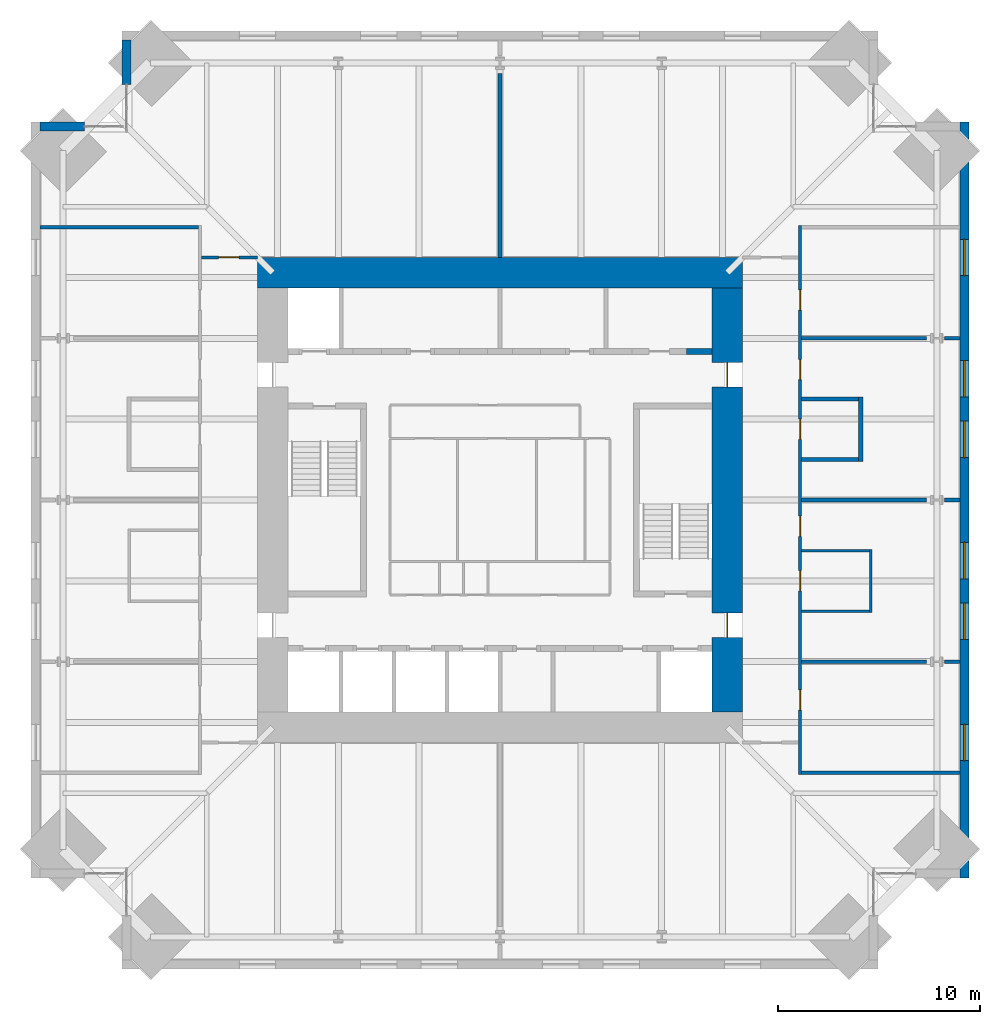
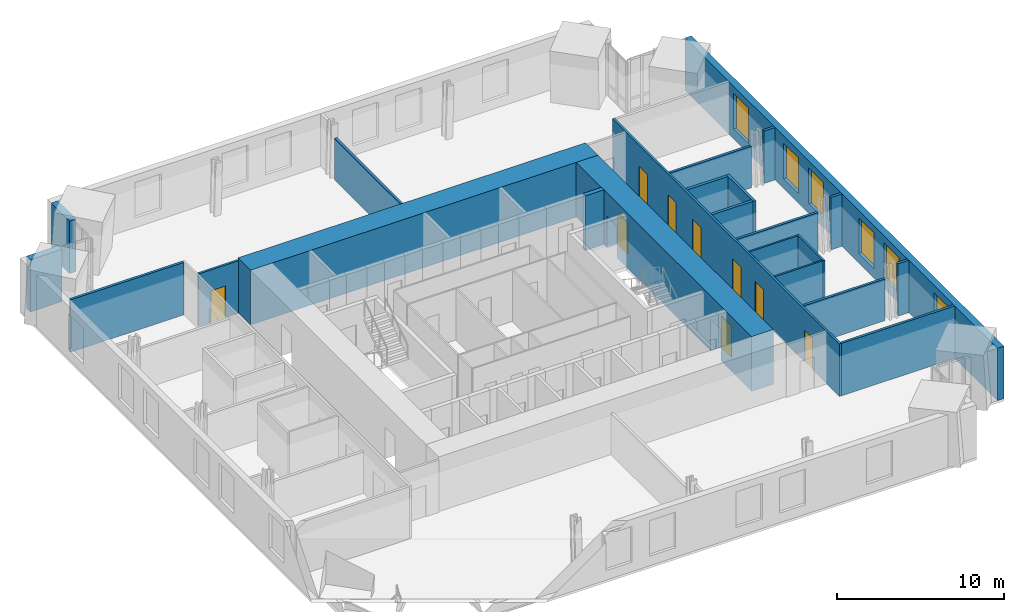
# One storey, part 13 of 15: 23 walls, 9 doors, 6 windows, 15 openings.
"""IFC4 building model written with IfcOpenShell, lengths in metres."""

from ifc_helpers import new_model, si_unit, direction, frame, frame_2d, origin, place, context, subcontext, project, spatial, rectangle, extrude, material, layer, layer_set, type_object, element, fill, save


model = new_model("IFC4")

# Units and contexts
model_context = context("Model", 3, precision=1e-05, world=origin(), true_north=direction((0.0, 1.0)))
body_context = subcontext(model_context, "Body", "Model", "MODEL_VIEW")
ifc_project = project(units=[si_unit("LENGTHUNIT", "METRE"), si_unit("AREAUNIT", "SQUARE_METRE"), si_unit("VOLUMEUNIT", "CUBIC_METRE"), si_unit("PLANEANGLEUNIT", "RADIAN"), si_unit("MASSUNIT", "GRAM", prefix="KILO")], contexts=[model_context])

# Site, building, storey
site_placement = place(None, origin())
site = spatial("IfcSite", under=ifc_project, at=site_placement, CompositionType="ELEMENT")
building_placement = place(site_placement, origin())
building = spatial("IfcBuilding", under=site, at=building_placement, Name="Peilmerk Tower", CompositionType="ELEMENT")
storey_placement = place(building_placement, frame((0.0, 0.0, 229.800048828125)))
storey = spatial("IfcBuildingStorey", under=building, at=storey_placement, Name="L50", CompositionType="ELEMENT", Elevation=229.800048828125)

# Wall, openings, windows
ifc_material_1 = material(Name="Precast concrete C45/55, board-marked finish", Category="concrete")
ifc_layer_1 = layer(ifc_material_1, 0.449951171875)
ifc_layer_set_1 = layer_set([ifc_layer_1], Name="Precast concrete C45/55, board-marked finish")
wall_type_1 = type_object("IfcWallType", Name="EW1 450 precast concrete facade wall, board-marked", PredefinedType="SOLIDWALL", material=ifc_layer_set_1)
wall_1_placement = place(storey_placement, frame((22.97509765625, -18.699951171875, 0.0), z_axis=(0.0, 0.0, 1.0), x_axis=(0.0, 1.0, 0.0)))
wall_1 = element("IfcWall", 1, at=wall_1_placement, inside=storey, type_object=wall_type_1, Name="Facade wall E L50", PredefinedType="SOLIDWALL", context=body_context, shape_type="SweptSolid", body=[
    extrude(rectangle(XDim=37.39990234375, YDim=0.449951171875, at=frame_2d((18.699951171875, 0.0))), origin(), (0.0, 0.0, 1.0), 3.829833984375),
])
opening_1_placement = place(wall_1_placement, frame((5.800048828125, 0.0, 0.699951171875)))
opening_1 = element("IfcOpeningElement", 2, at=opening_1_placement, cuts=wall_1, Name="Opening W1", PredefinedType="OPENING", context=body_context, shape_type="SweptSolid", body=[
    extrude(rectangle(XDim=1.800048828125, YDim=2.60009765625, at=frame_2d((0.89990234375, 1.300048828125))), frame((0.0, 0.23486328125, 0.0), z_axis=(0.0, -1.0, 0.0), x_axis=(1.0, 0.0, 0.0)), (0.0, 0.0, 1.0), 0.469970703125),
])
opening_2_placement = place(wall_1_placement, frame((11.800048828125, 0.0, 0.699951171875)))
opening_2 = element("IfcOpeningElement", 3, at=opening_2_placement, cuts=wall_1, Name="Opening W1", PredefinedType="OPENING", context=body_context, shape_type="SweptSolid", body=[
    extrude(rectangle(XDim=1.800048828125, YDim=2.60009765625, at=frame_2d((0.89990234375, 1.300048828125))), frame((0.0, 0.23486328125, 0.0), z_axis=(0.0, -1.0, 0.0), x_axis=(1.0, 0.0, 0.0)), (0.0, 0.0, 1.0), 0.469970703125),
])
opening_3_placement = place(wall_1_placement, frame((14.800048828125, 0.0, 0.699951171875)))
opening_3 = element("IfcOpeningElement", 4, at=opening_3_placement, cuts=wall_1, Name="Opening W1", PredefinedType="OPENING", context=body_context, shape_type="SweptSolid", body=[
    extrude(rectangle(XDim=1.800048828125, YDim=2.60009765625, at=frame_2d((0.89990234375, 1.300048828125))), frame((0.0, 0.23486328125, 0.0), z_axis=(0.0, -1.0, 0.0), x_axis=(1.0, 0.0, 0.0)), (0.0, 0.0, 1.0), 0.469970703125),
])
opening_4_placement = place(wall_1_placement, frame((20.800048828125, 0.0, 0.699951171875)))
opening_4 = element("IfcOpeningElement", 5, at=opening_4_placement, cuts=wall_1, Name="Opening W1", PredefinedType="OPENING", context=body_context, shape_type="SweptSolid", body=[
    extrude(rectangle(XDim=1.800048828125, YDim=2.60009765625, at=frame_2d((0.89990234375, 1.300048828125))), frame((0.0, 0.23486328125, 0.0), z_axis=(0.0, -1.0, 0.0), x_axis=(1.0, 0.0, 0.0)), (0.0, 0.0, 1.0), 0.469970703125),
])
opening_5_placement = place(wall_1_placement, frame((23.800048828125, 0.0, 0.699951171875)))
opening_5 = element("IfcOpeningElement", 6, at=opening_5_placement, cuts=wall_1, Name="Opening W1", PredefinedType="OPENING", context=body_context, shape_type="SweptSolid", body=[
    extrude(rectangle(XDim=1.800048828125, YDim=2.60009765625, at=frame_2d((0.89990234375, 1.300048828125))), frame((0.0, 0.23486328125, 0.0), z_axis=(0.0, -1.0, 0.0), x_axis=(1.0, 0.0, 0.0)), (0.0, 0.0, 1.0), 0.469970703125),
])
opening_6_placement = place(wall_1_placement, frame((29.800048828125, 0.0, 0.699951171875)))
opening_6 = element("IfcOpeningElement", 7, at=opening_6_placement, cuts=wall_1, Name="Opening W1", PredefinedType="OPENING", context=body_context, shape_type="SweptSolid", body=[
    extrude(rectangle(XDim=1.800048828125, YDim=2.60009765625, at=frame_2d((0.89990234375, 1.300048828125))), frame((0.0, 0.23486328125, 0.0), z_axis=(0.0, -1.0, 0.0), x_axis=(1.0, 0.0, 0.0)), (0.0, 0.0, 1.0), 0.469970703125),
])
ifc_material_2 = material(Name="Aluminium frame, clear double glazing", Category="aluminium")
window_type = type_object("IfcWindowType", Name="W1 1800x2600 office window", PartitioningType="SINGLE_PANEL", PredefinedType="WINDOW", material=ifc_material_2)
window_1_placement = place(opening_1_placement, origin())
window_1 = element("IfcWindow", 8, at=window_1_placement, inside=storey, type_object=window_type, Name="Window W1 L50", OverallHeight=2.60009765625, OverallWidth=1.800048828125, PartitioningType="SINGLE_PANEL", PredefinedType="WINDOW", context=body_context, shape_type="SweptSolid", body=[
    extrude(rectangle(XDim=1.800048828125, YDim=2.60009765625, at=frame_2d((0.89990234375, 1.300048828125))), frame((0.0, 0.030029296875, 0.0), z_axis=(0.0, -1.0, 0.0), x_axis=(1.0, 0.0, 0.0)), (0.0, 0.0, 1.0), 0.06005859375),
])
fill(opening_1, window_1)
window_2_placement = place(opening_2_placement, origin())
window_2 = element("IfcWindow", 9, at=window_2_placement, inside=storey, type_object=window_type, Name="Window W1 L50", OverallHeight=2.60009765625, OverallWidth=1.800048828125, PartitioningType="SINGLE_PANEL", PredefinedType="WINDOW", context=body_context, shape_type="SweptSolid", body=[
    extrude(rectangle(XDim=1.800048828125, YDim=2.60009765625, at=frame_2d((0.89990234375, 1.300048828125))), frame((0.0, 0.030029296875, 0.0), z_axis=(0.0, -1.0, 0.0), x_axis=(1.0, 0.0, 0.0)), (0.0, 0.0, 1.0), 0.06005859375),
])
fill(opening_2, window_2)
window_3_placement = place(opening_3_placement, origin())
window_3 = element("IfcWindow", 10, at=window_3_placement, inside=storey, type_object=window_type, Name="Window W1 L50", OverallHeight=2.60009765625, OverallWidth=1.800048828125, PartitioningType="SINGLE_PANEL", PredefinedType="WINDOW", context=body_context, shape_type="SweptSolid", body=[
    extrude(rectangle(XDim=1.800048828125, YDim=2.60009765625, at=frame_2d((0.89990234375, 1.300048828125))), frame((0.0, 0.030029296875, 0.0), z_axis=(0.0, -1.0, 0.0), x_axis=(1.0, 0.0, 0.0)), (0.0, 0.0, 1.0), 0.06005859375),
])
fill(opening_3, window_3)
window_4_placement = place(opening_4_placement, origin())
window_4 = element("IfcWindow", 11, at=window_4_placement, inside=storey, type_object=window_type, Name="Window W1 L50", OverallHeight=2.60009765625, OverallWidth=1.800048828125, PartitioningType="SINGLE_PANEL", PredefinedType="WINDOW", context=body_context, shape_type="SweptSolid", body=[
    extrude(rectangle(XDim=1.800048828125, YDim=2.60009765625, at=frame_2d((0.89990234375, 1.300048828125))), frame((0.0, 0.030029296875, 0.0), z_axis=(0.0, -1.0, 0.0), x_axis=(1.0, 0.0, 0.0)), (0.0, 0.0, 1.0), 0.06005859375),
])
fill(opening_4, window_4)
window_5_placement = place(opening_5_placement, origin())
window_5 = element("IfcWindow", 12, at=window_5_placement, inside=storey, type_object=window_type, Name="Window W1 L50", OverallHeight=2.60009765625, OverallWidth=1.800048828125, PartitioningType="SINGLE_PANEL", PredefinedType="WINDOW", context=body_context, shape_type="SweptSolid", body=[
    extrude(rectangle(XDim=1.800048828125, YDim=2.60009765625, at=frame_2d((0.89990234375, 1.300048828125))), frame((0.0, 0.030029296875, 0.0), z_axis=(0.0, -1.0, 0.0), x_axis=(1.0, 0.0, 0.0)), (0.0, 0.0, 1.0), 0.06005859375),
])
fill(opening_5, window_5)
window_6_placement = place(opening_6_placement, origin())
window_6 = element("IfcWindow", 13, at=window_6_placement, inside=storey, type_object=window_type, Name="Window W1 L50", OverallHeight=2.60009765625, OverallWidth=1.800048828125, PartitioningType="SINGLE_PANEL", PredefinedType="WINDOW", context=body_context, shape_type="SweptSolid", body=[
    extrude(rectangle(XDim=1.800048828125, YDim=2.60009765625, at=frame_2d((0.89990234375, 1.300048828125))), frame((0.0, 0.030029296875, 0.0), z_axis=(0.0, -1.0, 0.0), x_axis=(1.0, 0.0, 0.0)), (0.0, 0.0, 1.0), 0.06005859375),
])
fill(opening_6, window_6)

# Walls
for number, where, z_axis, x_axis, name in (
    (14, (-18.47509765625, 20.5537109375, 0.0), (0.0, 0.0, 1.0), (0.0, 1.0, 0.0), "Facade wall NWA L50"),
    (15, (-20.5537109375, 18.47509765625, 0.0), (0.0, 0.0, 1.0), (-1.0, 0.0, 0.0), "Facade wall NWB L50"),
):
    element("IfcWall", number, at=place(storey_placement, frame(where, z_axis=z_axis, x_axis=x_axis)), inside=storey, type_object=wall_type_1, Name=name, PredefinedType="SOLIDWALL", context=body_context, shape_type="SweptSolid", body=[
        extrude(rectangle(XDim=2.1962890625, YDim=0.449951171875, at=frame_2d((1.09814453125, 0.0))), origin(), (0.0, 0.0, 1.0), 3.829833984375),
    ])

# Wall, openings, doors
ifc_material_3 = material(Name="Calcium silicate block", Category="masonry")
ifc_layer_2 = layer(ifc_material_3, 0.14990234375)
ifc_layer_set_2 = layer_set([ifc_layer_2], Name="Calcium silicate block")
wall_type_2 = type_object("IfcWallType", Name="IW1 150 corridor partition, EI 60", PredefinedType="PARTITIONING", material=ifc_layer_set_2)
wall_2_placement = place(storey_placement, frame((14.85009765625, -13.574951171875, 0.0), z_axis=(0.0, 0.0, 1.0), x_axis=(0.0, 1.0, 0.0)))
wall_2 = element("IfcWall", 16, at=wall_2_placement, inside=storey, type_object=wall_type_2, Name="Corridor wall E L50", PredefinedType="PARTITIONING", context=body_context, shape_type="SweptSolid", body=[
    extrude(rectangle(XDim=27.14990234375, YDim=0.14990234375, at=frame_2d((13.574951171875, 0.0))), origin(), (0.0, 0.0, 1.0), 3.829833984375),
])
opening_7_placement = place(wall_2_placement, frame((3.175048828125, 0.0, 0.0)))
opening_7 = element("IfcOpeningElement", 17, at=opening_7_placement, cuts=wall_2, Name="Opening D1", PredefinedType="OPENING", context=body_context, shape_type="SweptSolid", body=[
    extrude(rectangle(XDim=1.0, YDim=2.300048828125, at=frame_2d((0.5, 1.14990234375))), frame((0.0, 0.0849609375, 0.0), z_axis=(0.0, -1.0, 0.0), x_axis=(1.0, 0.0, 0.0)), (0.0, 0.0, 1.0), 0.169921875),
])
opening_8_placement = place(wall_2_placement, frame((11.77490234375, 0.0, 0.0)))
opening_8 = element("IfcOpeningElement", 18, at=opening_8_placement, cuts=wall_2, Name="Opening D1", PredefinedType="OPENING", context=body_context, shape_type="SweptSolid", body=[
    extrude(rectangle(XDim=1.0, YDim=2.300048828125, at=frame_2d((0.5, 1.14990234375))), frame((0.0, 0.0849609375, 0.0), z_axis=(0.0, -1.0, 0.0), x_axis=(1.0, 0.0, 0.0)), (0.0, 0.0, 1.0), 0.169921875),
])
opening_9_placement = place(wall_2_placement, frame((19.52490234375, 0.0, 0.0)))
opening_9 = element("IfcOpeningElement", 19, at=opening_9_placement, cuts=wall_2, Name="Opening D1", PredefinedType="OPENING", context=body_context, shape_type="SweptSolid", body=[
    extrude(rectangle(XDim=1.0, YDim=2.300048828125, at=frame_2d((0.5, 1.14990234375))), frame((0.0, 0.0849609375, 0.0), z_axis=(0.0, -1.0, 0.0), x_axis=(1.0, 0.0, 0.0)), (0.0, 0.0, 1.0), 0.169921875),
])
opening_10_placement = place(wall_2_placement, frame((22.97509765625, 0.0, 0.0)))
opening_10 = element("IfcOpeningElement", 20, at=opening_10_placement, cuts=wall_2, Name="Opening D1", PredefinedType="OPENING", context=body_context, shape_type="SweptSolid", body=[
    extrude(rectangle(XDim=1.0, YDim=2.300048828125, at=frame_2d((0.5, 1.14990234375))), frame((0.0, 0.0849609375, 0.0), z_axis=(0.0, -1.0, 0.0), x_axis=(1.0, 0.0, 0.0)), (0.0, 0.0, 1.0), 0.169921875),
])
opening_11_placement = place(wall_2_placement, frame((16.574951171875, 0.0, 0.0)))
opening_11 = element("IfcOpeningElement", 21, at=opening_11_placement, cuts=wall_2, Name="Opening D1", PredefinedType="OPENING", context=body_context, shape_type="SweptSolid", body=[
    extrude(rectangle(XDim=1.0, YDim=2.300048828125, at=frame_2d((0.5, 1.14990234375))), frame((0.0, 0.0849609375, 0.0), z_axis=(0.0, -1.0, 0.0), x_axis=(1.0, 0.0, 0.0)), (0.0, 0.0, 1.0), 0.169921875),
])
opening_12_placement = place(wall_2_placement, frame((9.074951171875, 0.0, 0.0)))
opening_12 = element("IfcOpeningElement", 22, at=opening_12_placement, cuts=wall_2, Name="Opening D1", PredefinedType="OPENING", context=body_context, shape_type="SweptSolid", body=[
    extrude(rectangle(XDim=1.0, YDim=2.300048828125, at=frame_2d((0.5, 1.14990234375))), frame((0.0, 0.0849609375, 0.0), z_axis=(0.0, -1.0, 0.0), x_axis=(1.0, 0.0, 0.0)), (0.0, 0.0, 1.0), 0.169921875),
])
ifc_material_4 = material(Name="Timber door in steel frame", Category="steel")
door_type_1 = type_object("IfcDoorType", Name="D1 1000x2300 room door, EI2 30", OperationType="SINGLE_SWING_LEFT", PredefinedType="DOOR", material=ifc_material_4)
door_1_placement = place(opening_7_placement, frame((1.0, 0.0, 0.0), z_axis=(0.0, 0.0, 1.0), x_axis=(-1.0, 0.0, 0.0)))
door_1 = element("IfcDoor", 23, at=door_1_placement, inside=storey, type_object=door_type_1, Name="Door Office L50", OperationType="SINGLE_SWING_LEFT", OverallHeight=2.300048828125, OverallWidth=1.0, PredefinedType="DOOR", context=body_context, shape_type="SweptSolid", body=[
    extrude(rectangle(XDim=1.0, YDim=2.300048828125, at=frame_2d((0.5, 1.14990234375))), frame((0.0, 0.02490234375, 0.0), z_axis=(0.0, -1.0, 0.0), x_axis=(1.0, 0.0, 0.0)), (0.0, 0.0, 1.0), 0.050048828125),
])
fill(opening_7, door_1)
door_2_placement = place(opening_8_placement, frame((1.0, 0.0, 0.0), z_axis=(0.0, 0.0, 1.0), x_axis=(-1.0, 0.0, 0.0)))
door_2 = element("IfcDoor", 24, at=door_2_placement, inside=storey, type_object=door_type_1, Name="Door Office L50", OperationType="SINGLE_SWING_LEFT", OverallHeight=2.300048828125, OverallWidth=1.0, PredefinedType="DOOR", context=body_context, shape_type="SweptSolid", body=[
    extrude(rectangle(XDim=1.0, YDim=2.300048828125, at=frame_2d((0.5, 1.14990234375))), frame((0.0, 0.02490234375, 0.0), z_axis=(0.0, -1.0, 0.0), x_axis=(1.0, 0.0, 0.0)), (0.0, 0.0, 1.0), 0.050048828125),
])
fill(opening_8, door_2)
door_3_placement = place(opening_9_placement, frame((1.0, 0.0, 0.0), z_axis=(0.0, 0.0, 1.0), x_axis=(-1.0, 0.0, 0.0)))
door_3 = element("IfcDoor", 25, at=door_3_placement, inside=storey, type_object=door_type_1, Name="Door Office L50", OperationType="SINGLE_SWING_LEFT", OverallHeight=2.300048828125, OverallWidth=1.0, PredefinedType="DOOR", context=body_context, shape_type="SweptSolid", body=[
    extrude(rectangle(XDim=1.0, YDim=2.300048828125, at=frame_2d((0.5, 1.14990234375))), frame((0.0, 0.02490234375, 0.0), z_axis=(0.0, -1.0, 0.0), x_axis=(1.0, 0.0, 0.0)), (0.0, 0.0, 1.0), 0.050048828125),
])
fill(opening_9, door_3)
door_4_placement = place(opening_10_placement, frame((1.0, 0.0, 0.0), z_axis=(0.0, 0.0, 1.0), x_axis=(-1.0, 0.0, 0.0)))
door_4 = element("IfcDoor", 26, at=door_4_placement, inside=storey, type_object=door_type_1, Name="Door Meeting room L50", OperationType="SINGLE_SWING_LEFT", OverallHeight=2.300048828125, OverallWidth=1.0, PredefinedType="DOOR", context=body_context, shape_type="SweptSolid", body=[
    extrude(rectangle(XDim=1.0, YDim=2.300048828125, at=frame_2d((0.5, 1.14990234375))), frame((0.0, 0.02490234375, 0.0), z_axis=(0.0, -1.0, 0.0), x_axis=(1.0, 0.0, 0.0)), (0.0, 0.0, 1.0), 0.050048828125),
])
fill(opening_10, door_4)
door_5_placement = place(opening_11_placement, frame((1.0, 0.0, 0.0), z_axis=(0.0, 0.0, 1.0), x_axis=(-1.0, 0.0, 0.0)))
door_5 = element("IfcDoor", 27, at=door_5_placement, inside=storey, type_object=door_type_1, Name="Door Print room L50", OperationType="SINGLE_SWING_LEFT", OverallHeight=2.300048828125, OverallWidth=1.0, PredefinedType="DOOR", context=body_context, shape_type="SweptSolid", body=[
    extrude(rectangle(XDim=1.0, YDim=2.300048828125, at=frame_2d((0.5, 1.14990234375))), frame((0.0, 0.02490234375, 0.0), z_axis=(0.0, -1.0, 0.0), x_axis=(1.0, 0.0, 0.0)), (0.0, 0.0, 1.0), 0.050048828125),
])
fill(opening_11, door_5)
door_6_placement = place(opening_12_placement, frame((1.0, 0.0, 0.0), z_axis=(0.0, 0.0, 1.0), x_axis=(-1.0, 0.0, 0.0)))
door_6 = element("IfcDoor", 28, at=door_6_placement, inside=storey, type_object=door_type_1, Name="Door Focus room L50", OperationType="SINGLE_SWING_LEFT", OverallHeight=2.300048828125, OverallWidth=1.0, PredefinedType="DOOR", context=body_context, shape_type="SweptSolid", body=[
    extrude(rectangle(XDim=1.0, YDim=2.300048828125, at=frame_2d((0.5, 1.14990234375))), frame((0.0, 0.02490234375, 0.0), z_axis=(0.0, -1.0, 0.0), x_axis=(1.0, 0.0, 0.0)), (0.0, 0.0, 1.0), 0.050048828125),
])
fill(opening_12, door_6)

# Wall, opening, door
wall_3_placement = place(storey_placement, frame((-14.77490234375, 12.0, 0.0), z_axis=(0.0, 0.0, 1.0), x_axis=(1.0, 0.0, 0.0)))
wall_3 = element("IfcWall", 29, at=wall_3_placement, inside=storey, type_object=wall_type_2, Name="Corridor wall NW L50", PredefinedType="PARTITIONING", context=body_context, shape_type="SweptSolid", body=[
    extrude(rectangle(XDim=2.77490234375, YDim=0.14990234375, at=frame_2d((1.387451171875, 0.0))), origin(), (0.0, 0.0, 1.0), 3.829833984375),
])
opening_13_placement = place(wall_3_placement, frame((0.85009765625, 0.0, 0.0)))
opening_13 = element("IfcOpeningElement", 30, at=opening_13_placement, cuts=wall_3, Name="Opening D1", PredefinedType="OPENING", context=body_context, shape_type="SweptSolid", body=[
    extrude(rectangle(XDim=1.0, YDim=2.300048828125, at=frame_2d((0.5, 1.14990234375))), frame((0.0, 0.0849609375, 0.0), z_axis=(0.0, -1.0, 0.0), x_axis=(1.0, 0.0, 0.0)), (0.0, 0.0, 1.0), 0.169921875),
])
door_7_placement = place(opening_13_placement, origin())
door_7 = element("IfcDoor", 31, at=door_7_placement, inside=storey, type_object=door_type_1, Name="Door Office L50", OperationType="SINGLE_SWING_LEFT", OverallHeight=2.300048828125, OverallWidth=1.0, PredefinedType="DOOR", context=body_context, shape_type="SweptSolid", body=[
    extrude(rectangle(XDim=1.0, YDim=2.300048828125, at=frame_2d((0.5, 1.14990234375))), frame((0.0, 0.02490234375, 0.0), z_axis=(0.0, -1.0, 0.0), x_axis=(1.0, 0.0, 0.0)), (0.0, 0.0, 1.0), 0.050048828125),
])
fill(opening_13, door_7)

# Walls
ifc_layer_3 = layer(ifc_material_3, 0.199951171875)
ifc_layer_set_3 = layer_set([ifc_layer_3], Name="Calcium silicate block")
wall_type_3 = type_object("IfcWallType", Name="IW2 200 room separating wall, EI 120", PredefinedType="PARTITIONING", material=ifc_layer_set_3)
wall_4_placement = place(storey_placement, frame((17.85009765625, 1.89990234375, 0.0), z_axis=(0.0, 0.0, 1.0), x_axis=(0.0, 1.0, 0.0)))
element("IfcWall", 32, at=wall_4_placement, inside=storey, type_object=wall_type_3, Name="Room separating wall Print room L50", PredefinedType="PARTITIONING", context=body_context, shape_type="SweptSolid", body=[
    extrude(rectangle(XDim=3.2001953125, YDim=0.199951171875, at=frame_2d((1.60009765625, 0.0))), origin(), (0.0, 0.0, 1.0), 3.829833984375),
])
for number, where, z_axis, x_axis, name in (
    (33, (14.925048828125, 2.0, 0.0), (0.0, 0.0, 1.0), (1.0, 0.0, 0.0), "Room separating wall Print room L50"),
    (34, (14.925048828125, 5.0, 0.0), (0.0, 0.0, 1.0), (1.0, 0.0, 0.0), "Room separating wall Print room L50"),
):
    element("IfcWall", number, at=place(storey_placement, frame(where, z_axis=z_axis, x_axis=x_axis)), inside=storey, type_object=wall_type_3, Name=name, PredefinedType="PARTITIONING", context=body_context, shape_type="SweptSolid", body=[
        extrude(rectangle(XDim=2.824951171875, YDim=0.199951171875, at=frame_2d((1.41259765625, 0.0))), origin(), (0.0, 0.0, 1.0), 3.829833984375),
    ])
ifc_material_5 = material(Name="Plasterboard on steel studs, double boarded with mineral wool", Category="steel")
ifc_layer_4 = layer(ifc_material_5, 0.125)
ifc_layer_set_4 = layer_set([ifc_layer_4], Name="Plasterboard on steel studs, double boarded with mineral wool")
wall_type_4 = type_object("IfcWallType", Name="IW7 125 acoustic partition, EI 30", PredefinedType="PARTITIONING", material=ifc_layer_set_4)
wall_5_placement = place(storey_placement, frame((18.35009765625, -5.5625, 0.0), z_axis=(0.0, 0.0, 1.0), x_axis=(0.0, 1.0, 0.0)))
element("IfcWall", 35, at=wall_5_placement, inside=storey, type_object=wall_type_4, Name="Acoustic partition Focus room L50", PredefinedType="PARTITIONING", context=body_context, shape_type="SweptSolid", body=[
    extrude(rectangle(XDim=3.125, YDim=0.125, at=frame_2d((1.5625, 0.0))), origin(), (0.0, 0.0, 1.0), 3.829833984375),
])
for number, where, z_axis, x_axis, name in (
    (36, (14.925048828125, -5.5, 0.0), (0.0, 0.0, 1.0), (1.0, 0.0, 0.0), "Acoustic partition Focus room L50"),
    (37, (14.925048828125, -2.5, 0.0), (0.0, 0.0, 1.0), (1.0, 0.0, 0.0), "Acoustic partition Focus room L50"),
):
    element("IfcWall", number, at=place(storey_placement, frame(where, z_axis=z_axis, x_axis=x_axis)), inside=storey, type_object=wall_type_4, Name=name, PredefinedType="PARTITIONING", context=body_context, shape_type="SweptSolid", body=[
        extrude(rectangle(XDim=3.362548828125, YDim=0.125, at=frame_2d((1.68115234375, 0.0))), origin(), (0.0, 0.0, 1.0), 3.829833984375),
    ])
ifc_layer_5 = layer(ifc_material_3, 0.175048828125)
ifc_layer_set_5 = layer_set([ifc_layer_5], Name="Calcium silicate block")
wall_type_5 = type_object("IfcWallType", Name="IW8 175 tenant separating wall, EI 60", PredefinedType="PARTITIONING", material=ifc_layer_set_5)
for number, where, z_axis, x_axis, name in (
    (38, (-22.75, 13.5, 0.0), (0.0, 0.0, 1.0), (1.0, 0.0, 0.0), "Tenant separating wall NW L50"),
    (39, (22.75, -13.5, 0.0), (0.0, 0.0, 1.0), (-1.0, 0.0, 0.0), "Tenant separating wall SE L50"),
):
    element("IfcWall", number, at=place(storey_placement, frame(where, z_axis=z_axis, x_axis=x_axis)), inside=storey, type_object=wall_type_5, Name=name, PredefinedType="PARTITIONING", context=body_context, shape_type="SweptSolid", body=[
        extrude(rectangle(XDim=7.824951171875, YDim=0.175048828125, at=frame_2d((3.91259765625, 0.0))), origin(), (0.0, 0.0, 1.0), 3.829833984375),
    ])
wall_6_placement = place(storey_placement, frame((0.0, 12.0, 0.0), z_axis=(0.0, 0.0, 1.0), x_axis=(0.0, 1.0, 0.0)))
element("IfcWall", 40, at=wall_6_placement, inside=storey, type_object=wall_type_5, Name="Tenant separating wall N1 L50", PredefinedType="PARTITIONING", context=body_context, shape_type="SweptSolid", body=[
    extrude(rectangle(XDim=9.10546875, YDim=0.175048828125, at=frame_2d((4.552734375, 0.0))), origin(), (0.0, 0.0, 1.0), 3.0400390625),
])
wall_7_placement = place(storey_placement, frame((14.925048828125, -8.0, 0.0), z_axis=(0.0, 0.0, 1.0), x_axis=(1.0, 0.0, 0.0)))
element("IfcWall", 41, at=wall_7_placement, inside=storey, type_object=wall_type_5, Name="Tenant separating wall E1 L50", PredefinedType="PARTITIONING", context=body_context, shape_type="SweptSolid", body=[
    extrude(rectangle(XDim=6.180419921875, YDim=0.175048828125, at=frame_2d((3.09033203125, 0.0))), origin(), (0.0, 0.0, 1.0), 3.0400390625),
])
wall_8_placement = place(storey_placement, frame((21.99462890625, -8.0, 0.0), z_axis=(0.0, 0.0, 1.0), x_axis=(1.0, 0.0, 0.0)))
element("IfcWall", 42, at=wall_8_placement, inside=storey, type_object=wall_type_5, Name="Tenant separating wall E1b L50", PredefinedType="PARTITIONING", context=body_context, shape_type="SweptSolid", body=[
    extrude(rectangle(XDim=0.75537109375, YDim=0.175048828125, at=frame_2d((0.377685546875, 0.0))), origin(), (0.0, 0.0, 1.0), 3.829833984375),
])
wall_9_placement = place(storey_placement, frame((14.925048828125, 0.0, 0.0), z_axis=(0.0, 0.0, 1.0), x_axis=(1.0, 0.0, 0.0)))
element("IfcWall", 43, at=wall_9_placement, inside=storey, type_object=wall_type_5, Name="Tenant separating wall E2 L50", PredefinedType="PARTITIONING", context=body_context, shape_type="SweptSolid", body=[
    extrude(rectangle(XDim=6.180419921875, YDim=0.175048828125, at=frame_2d((3.09033203125, 0.0))), origin(), (0.0, 0.0, 1.0), 3.0400390625),
])
wall_10_placement = place(storey_placement, frame((21.99462890625, 0.0, 0.0), z_axis=(0.0, 0.0, 1.0), x_axis=(1.0, 0.0, 0.0)))
element("IfcWall", 44, at=wall_10_placement, inside=storey, type_object=wall_type_5, Name="Tenant separating wall E2b L50", PredefinedType="PARTITIONING", context=body_context, shape_type="SweptSolid", body=[
    extrude(rectangle(XDim=0.75537109375, YDim=0.175048828125, at=frame_2d((0.377685546875, 0.0))), origin(), (0.0, 0.0, 1.0), 3.829833984375),
])
wall_11_placement = place(storey_placement, frame((14.925048828125, 8.0, 0.0), z_axis=(0.0, 0.0, 1.0), x_axis=(1.0, 0.0, 0.0)))
element("IfcWall", 45, at=wall_11_placement, inside=storey, type_object=wall_type_5, Name="Tenant separating wall E3 L50", PredefinedType="PARTITIONING", context=body_context, shape_type="SweptSolid", body=[
    extrude(rectangle(XDim=6.180419921875, YDim=0.175048828125, at=frame_2d((3.09033203125, 0.0))), origin(), (0.0, 0.0, 1.0), 3.0400390625),
])
wall_12_placement = place(storey_placement, frame((21.99462890625, 8.0, 0.0), z_axis=(0.0, 0.0, 1.0), x_axis=(1.0, 0.0, 0.0)))
element("IfcWall", 46, at=wall_12_placement, inside=storey, type_object=wall_type_5, Name="Tenant separating wall E3b L50", PredefinedType="PARTITIONING", context=body_context, shape_type="SweptSolid", body=[
    extrude(rectangle(XDim=0.75537109375, YDim=0.175048828125, at=frame_2d((0.377685546875, 0.0))), origin(), (0.0, 0.0, 1.0), 3.829833984375),
])
ifc_material_6 = material(Name="Concrete C55/67", Category="concrete")
ifc_layer_6 = layer(ifc_material_6, 1.5)
ifc_layer_set_6 = layer_set([ifc_layer_6], Name="Concrete C55/67")
wall_type_6 = type_object("IfcWallType", Name="SW1 1500 core wall", PredefinedType="SHEAR", material=ifc_layer_set_6)
wall_13_placement = place(storey_placement, frame((-12.0, 11.25, 0.0), z_axis=(0.0, 0.0, 1.0), x_axis=(1.0, 0.0, 0.0)))
element("IfcWall", 47, at=wall_13_placement, inside=storey, type_object=wall_type_6, Name="Core wall N L50", PredefinedType="SHEAR", context=body_context, shape_type="SweptSolid", body=[
    extrude(rectangle(XDim=24.0, YDim=1.5, at=frame_2d((12.0, 0.0))), origin(), (0.0, 0.0, 1.0), 4.0),
])

# Wall, openings, doors
wall_14_placement = place(storey_placement, frame((11.25, 10.5, 0.0), z_axis=(0.0, 0.0, 1.0), x_axis=(0.0, -1.0, 0.0)))
wall_14 = element("IfcWall", 48, at=wall_14_placement, inside=storey, type_object=wall_type_6, Name="Core wall E L50", PredefinedType="SHEAR", context=body_context, shape_type="SweptSolid", body=[
    extrude(rectangle(XDim=21.0, YDim=1.5, at=frame_2d((10.5, 0.0))), origin(), (0.0, 0.0, 1.0), 4.0),
])
opening_14_placement = place(wall_14_placement, frame((3.699951171875, 0.0, 0.0)))
opening_14 = element("IfcOpeningElement", 49, at=opening_14_placement, cuts=wall_14, Name="Opening D3", PredefinedType="OPENING", context=body_context, shape_type="SweptSolid", body=[
    extrude(rectangle(XDim=1.199951171875, YDim=2.300048828125, at=frame_2d((0.60009765625, 1.14990234375))), frame((0.0, 0.760009765625, 0.0), z_axis=(0.0, -1.0, 0.0), x_axis=(1.0, 0.0, 0.0)), (0.0, 0.0, 1.0), 1.52001953125),
])
opening_15_placement = place(wall_14_placement, frame((16.10009765625, 0.0, 0.0)))
opening_15 = element("IfcOpeningElement", 50, at=opening_15_placement, cuts=wall_14, Name="Opening D3", PredefinedType="OPENING", context=body_context, shape_type="SweptSolid", body=[
    extrude(rectangle(XDim=1.199951171875, YDim=2.300048828125, at=frame_2d((0.60009765625, 1.14990234375))), frame((0.0, 0.760009765625, 0.0), z_axis=(0.0, -1.0, 0.0), x_axis=(1.0, 0.0, 0.0)), (0.0, 0.0, 1.0), 1.52001953125),
])
ifc_material_7 = material(Name="Steel door in steel frame", Category="steel")
door_type_2 = type_object("IfcDoorType", Name="D3 1200x2300 core door, EI2 60", OperationType="SINGLE_SWING_LEFT", PredefinedType="DOOR", material=ifc_material_7)
door_8_placement = place(opening_14_placement, frame((1.199951171875, 0.0, 0.0), z_axis=(0.0, 0.0, 1.0), x_axis=(-1.0, 0.0, 0.0)))
door_8 = element("IfcDoor", 51, at=door_8_placement, inside=storey, type_object=door_type_2, Name="Core door L50", OperationType="SINGLE_SWING_LEFT", OverallHeight=2.300048828125, OverallWidth=1.199951171875, PredefinedType="DOOR", context=body_context, shape_type="SweptSolid", body=[
    extrude(rectangle(XDim=1.199951171875, YDim=2.300048828125, at=frame_2d((0.60009765625, 1.14990234375))), frame((0.0, 0.02490234375, 0.0), z_axis=(0.0, -1.0, 0.0), x_axis=(1.0, 0.0, 0.0)), (0.0, 0.0, 1.0), 0.050048828125),
])
fill(opening_14, door_8)
door_9_placement = place(opening_15_placement, frame((1.199951171875, 0.0, 0.0), z_axis=(0.0, 0.0, 1.0), x_axis=(-1.0, 0.0, 0.0)))
door_9 = element("IfcDoor", 52, at=door_9_placement, inside=storey, type_object=door_type_2, Name="Core door L50", OperationType="SINGLE_SWING_LEFT", OverallHeight=2.300048828125, OverallWidth=1.199951171875, PredefinedType="DOOR", context=body_context, shape_type="SweptSolid", body=[
    extrude(rectangle(XDim=1.199951171875, YDim=2.300048828125, at=frame_2d((0.60009765625, 1.14990234375))), frame((0.0, 0.02490234375, 0.0), z_axis=(0.0, -1.0, 0.0), x_axis=(1.0, 0.0, 0.0)), (0.0, 0.0, 1.0), 0.050048828125),
])
fill(opening_15, door_9)

# Wall
ifc_layer_7 = layer(ifc_material_6, 0.300048828125)
ifc_layer_set_7 = layer_set([ifc_layer_7], Name="Concrete C55/67")
wall_type_7 = type_object("IfcWallType", Name="SW2 300 lift bank pier", PredefinedType="SHEAR", material=ifc_layer_set_7)
wall_15_placement = place(storey_placement, frame((9.22509765625, 7.35009765625, 0.0), z_axis=(0.0, 0.0, 1.0), x_axis=(1.0, 0.0, 0.0)))
element("IfcWall", 53, at=wall_15_placement, inside=storey, type_object=wall_type_7, Name="Lift bank pier N L50", PredefinedType="SHEAR", context=body_context, shape_type="SweptSolid", body=[
    extrude(rectangle(XDim=1.27490234375, YDim=0.300048828125, at=frame_2d((0.637451171875, 0.0))), origin(), (0.0, 0.0, 1.0), 4.0),
])

save(model, "model.ifc")
